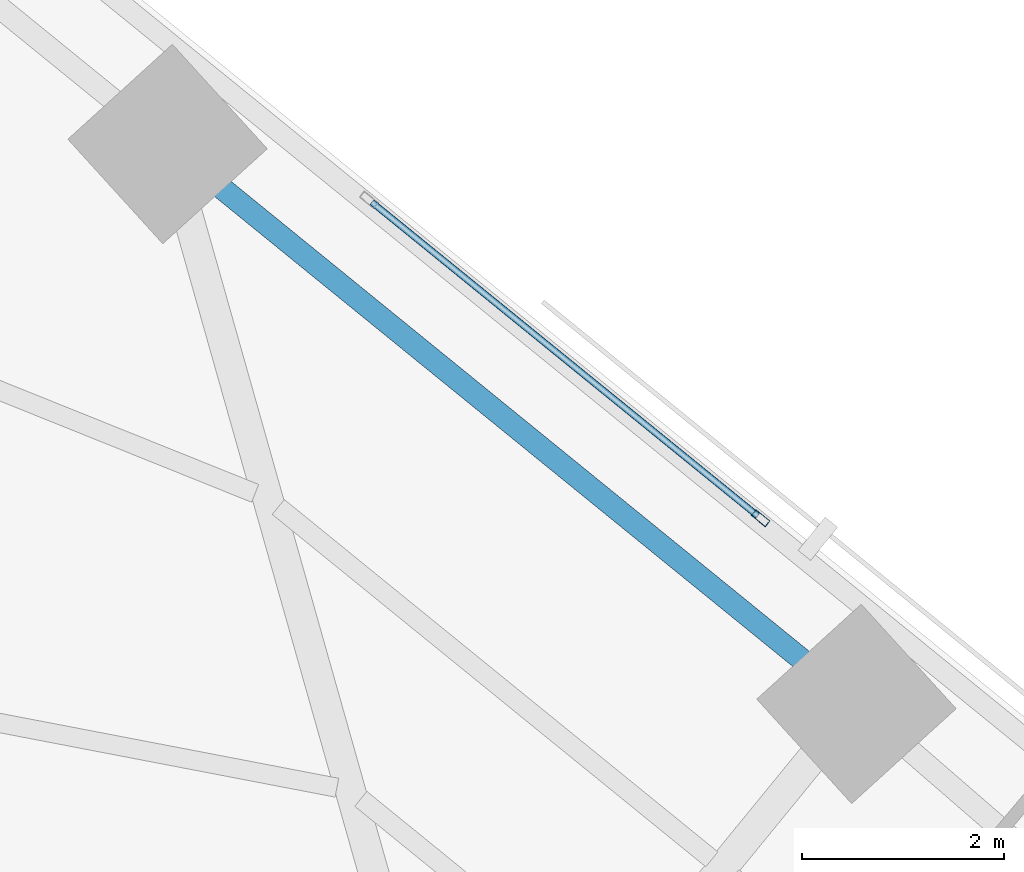
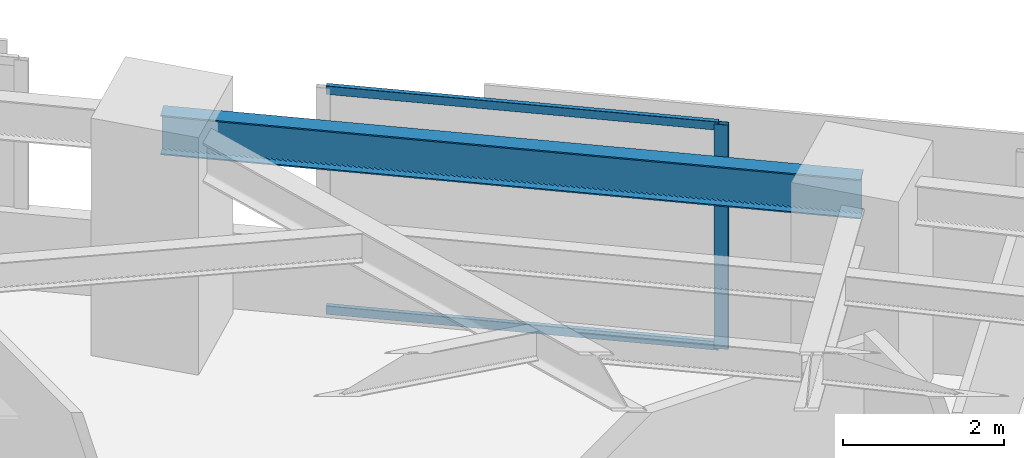
# One storey, part 11 of 17: 3 members, 1 beam, 1 element without a shape of its own.
"""IFC4 building model written with IfcOpenShell, lengths in metres."""

from ifc_helpers import new_model, si_unit, direction, frame, origin, origin_2d, place, context, subcontext, project, spatial, hollow_rectangle, i_section, extrude, material, material_profile, profile_set, type_object, element, aggregate, save


model = new_model("IFC4")

# Units and contexts
model_context = context("Model", 3, precision=1e-05, world=origin(), true_north=direction((0.0, 1.0)))
body_context = subcontext(model_context, "Body", "Model", "MODEL_VIEW")
ifc_project = project(units=[si_unit("LENGTHUNIT", "METRE"), si_unit("AREAUNIT", "SQUARE_METRE"), si_unit("VOLUMEUNIT", "CUBIC_METRE"), si_unit("PLANEANGLEUNIT", "RADIAN"), si_unit("MASSUNIT", "GRAM", prefix="KILO")], contexts=[model_context])

# Site, building, storey
site_placement = place(None, origin())
site = spatial("IfcSite", under=ifc_project, at=site_placement, CompositionType="ELEMENT")
building_placement = place(site_placement, origin())
building = spatial("IfcBuilding", under=site, at=building_placement, Name="Narakoshi Arena Tower", CompositionType="ELEMENT")
storey_placement = place(building_placement, frame((0.0, 0.0, 37.5)))
storey = spatial("IfcBuildingStorey", under=building, at=storey_placement, Name="L09", CompositionType="ELEMENT", Elevation=37.5)

# Beam
ifc_material_1 = material(Name="Structural steel S355J2", Category="steel")
ifc_material_profile_1 = material_profile(ifc_material_1, i_section(OverallWidth=0.219970703125, OverallDepth=0.60009765625, WebThickness=0.011962890625, FlangeThickness=0.01904296875, FilletRadius=0.02392578125, at=origin_2d()), Name="IPE600")
ifc_profile_set_1 = profile_set([ifc_material_profile_1], Name="Structural steel S355J2")
beam_type = type_object("IfcBeamType", Name="BM-EDGE-600", PredefinedType="BEAM", material=ifc_profile_set_1)
beam_placement = place(storey_placement, frame((89.459716796875, 61.28515625, 3.10009765625), z_axis=(-0.776011365227, 0.630718923958, 0.0), x_axis=(-0.630718923958, -0.776011365227, 0.0)))
element("IfcBeam", 1, at=beam_placement, inside=storey, type_object=beam_type, Name="L09 Perimeter Edge Girder 09", PredefinedType="BEAM", context=body_context, shape_type="SweptSolid", body=[
    extrude(i_section(OverallWidth=0.219970703125, OverallDepth=0.60009765625, WebThickness=0.011962890625, FlangeThickness=0.01904296875, FilletRadius=0.02392578125, at=origin_2d()), origin(), (0.0, 0.0, 1.0), 8.804931640625),
])

# Curtain wall, members
ifc_material_2 = material(Name="Anodised bronze aluminium 6063-T6", Category="aluminium")
curtain_wall_type = type_object("IfcCurtainWallType", Name="CW-HYP-LOW", PredefinedType="NOTDEFINED", material=ifc_material_2)
curtain_wall_placement = place(storey_placement, origin())
curtain_wall = element("IfcCurtainWall", 2, at=curtain_wall_placement, inside=storey, type_object=curtain_wall_type, Name="L09 Folded Hypotenuse Curtain Wall 2-2", PredefinedType="NOTDEFINED")
ifc_material_profile_2 = material_profile(ifc_material_2, hollow_rectangle(XDim=0.074951171875, YDim=0.179931640625, WallThickness=0.00390625, OuterFilletRadius=0.0048828125, at=origin_2d()), Name="MUL180x75x4")
ifc_profile_set_2 = profile_set([ifc_material_profile_2], Name="Anodised bronze aluminium 6063-T6")
member_type_1 = type_object("IfcMemberType", Name="MEM-MUL-180", PredefinedType="MULLION", material=ifc_profile_set_2)
member_1_placement = place(storey_placement, frame((88.509521484375, 63.126953125, 0.0), z_axis=(0.0, 0.0, 1.0), x_axis=(-0.630734833051, -0.775998434519, 0.0)))
member_1 = element("IfcMember", 3, at=member_1_placement, type_object=member_type_1, Name="CW-01 mullion 1", PredefinedType="MULLION", context=body_context, shape_type="SweptSolid", body=[
    extrude(hollow_rectangle(XDim=0.074951171875, YDim=0.179931640625, WallThickness=0.00390625, OuterFilletRadius=0.0048828125, at=origin_2d()), origin(), (0.0, 0.0, 1.0), 3.39990234375),
])
ifc_material_profile_3 = material_profile(ifc_material_2, hollow_rectangle(XDim=0.06494140625, YDim=0.1298828125, WallThickness=0.00390625, OuterFilletRadius=0.0048828125, at=origin_2d()), Name="TRN130x65x4")
ifc_profile_set_3 = profile_set([ifc_material_profile_3], Name="Anodised bronze aluminium 6063-T6")
member_type_2 = type_object("IfcMemberType", Name="MEM-TRN-130", PredefinedType="USERDEFINED", material=ifc_profile_set_3)
member_2_placement = place(storey_placement, frame((88.48046875, 63.150634765625, 0.032470703125), z_axis=(-0.776001951686, 0.630730505826, 0.0), x_axis=(-0.630730505826, -0.776001951686, 0.0)))
member_2 = element("IfcMember", 4, at=member_2_placement, type_object=member_type_2, Name="CW-01 transom 1.1", ObjectType="TRANSOM", PredefinedType="USERDEFINED", context=body_context, shape_type="SweptSolid", body=[
    extrude(hollow_rectangle(XDim=0.06494140625, YDim=0.1298828125, WallThickness=0.00390625, OuterFilletRadius=0.0048828125, at=origin_2d()), origin(), (0.0, 0.0, 1.0), 4.9326171875),
])
member_3_placement = place(storey_placement, frame((88.48046875, 63.150634765625, 3.367431640625), z_axis=(-0.776001951686, 0.630730505826, 0.0), x_axis=(-0.630730505826, -0.776001951686, 0.0)))
member_3 = element("IfcMember", 5, at=member_3_placement, type_object=member_type_2, Name="CW-01 transom 1.2", ObjectType="TRANSOM", PredefinedType="USERDEFINED", context=body_context, shape_type="SweptSolid", body=[
    extrude(hollow_rectangle(XDim=0.06494140625, YDim=0.1298828125, WallThickness=0.00390625, OuterFilletRadius=0.0048828125, at=origin_2d()), origin(), (0.0, 0.0, 1.0), 4.9326171875),
])
aggregate(curtain_wall, [member_1, member_2, member_3])

save(model, "model.ifc")
